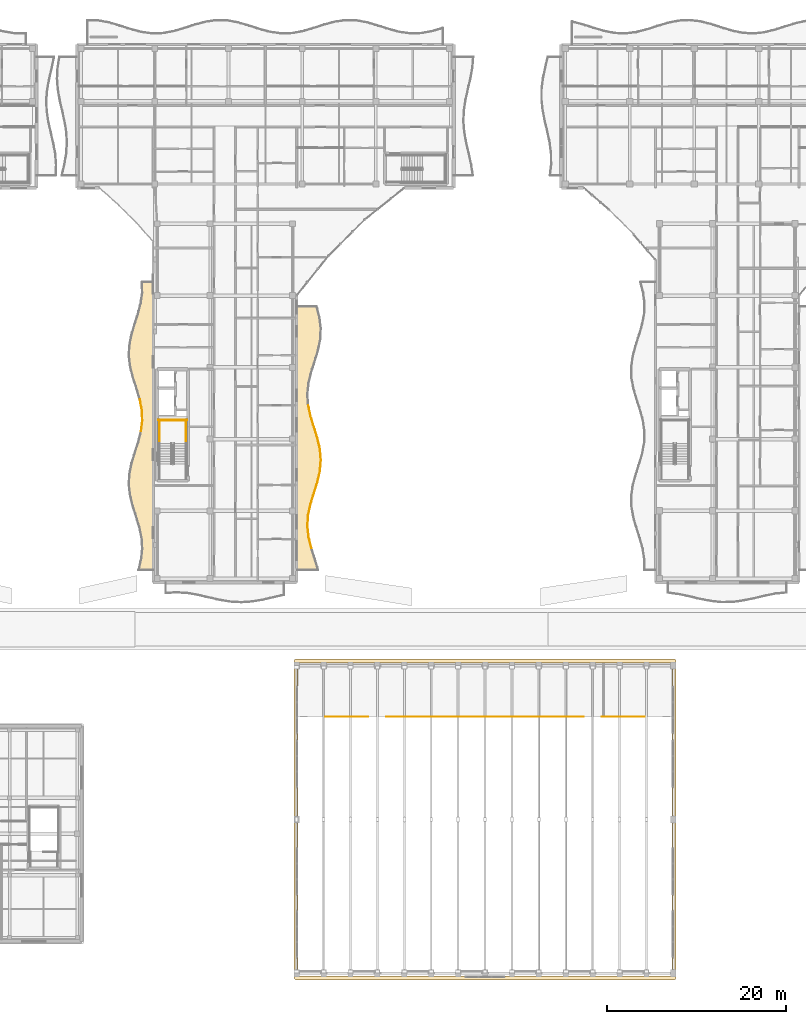
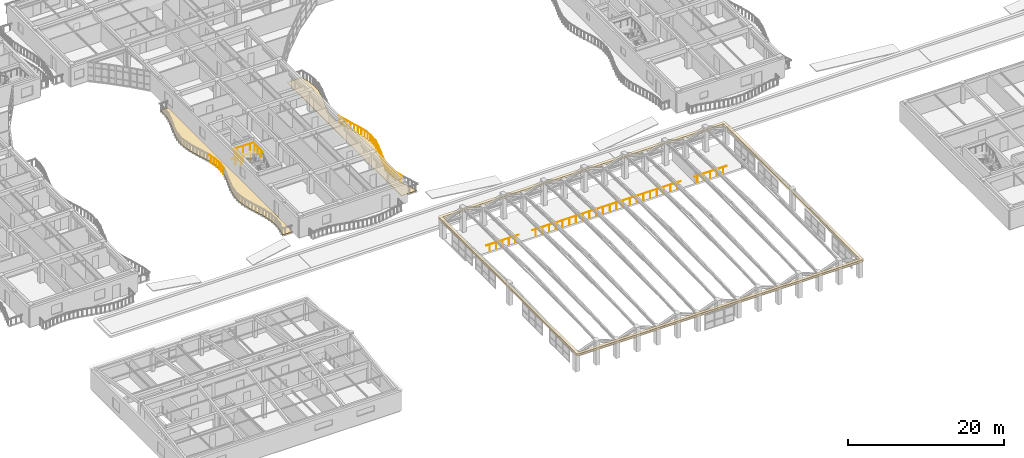
# One storey, part 106 of 128: 23 railings, 3 coverings.
"""IFC4 building model written with IfcOpenShell, lengths in metres."""

from ifc_helpers import new_model, si_unit, direction, frame, origin, origin_2d, place, context, subcontext, project, spatial, polyline, circle, outline, extrude, material, layer, layer_set, type_object, element, save


model = new_model("IFC4")

# Units and contexts
model_context = context("Model", 3, precision=1e-05, world=origin(), true_north=direction((0.0, 1.0)))
body_context = subcontext(model_context, "Body", "Model", "MODEL_VIEW")
ifc_project = project(units=[si_unit("LENGTHUNIT", "METRE"), si_unit("AREAUNIT", "SQUARE_METRE"), si_unit("VOLUMEUNIT", "CUBIC_METRE"), si_unit("PLANEANGLEUNIT", "RADIAN"), si_unit("MASSUNIT", "GRAM", prefix="KILO")], contexts=[model_context])

# Site, building, storey
site_placement = place(None, origin())
site = spatial("IfcSite", under=ifc_project, at=site_placement, CompositionType="ELEMENT")
building_placement = place(site_placement, origin())
building = spatial("IfcBuilding", under=site, at=building_placement, Name="Keldmere Railside Commons", CompositionType="ELEMENT")
storey_placement = place(building_placement, frame((0.0, 0.0, 4.159912109375)))
storey = spatial("IfcBuildingStorey", under=building, at=storey_placement, Name="L01", CompositionType="ELEMENT", Elevation=4.159912109375)

# Railings
ifc_material_1 = material(Name="Steel F-24 (S235)", Category="steel")
railing_type_1 = type_object("IfcRailingType", Name="Balcony & Terrace Steel Balustrade 1100", PredefinedType="BALUSTRADE", material=ifc_material_1)
railing_1_placement = place(storey_placement, frame((65.63916015625, 59.85009765625, 0.0)))
element("IfcRailing", 1, at=railing_1_placement, inside=storey, type_object=railing_type_1, Name="GR-1 GRD-L01-0828", PredefinedType="BALUSTRADE", context=body_context, shape_type="SweptSolid", body=[
    extrude(circle(Radius=0.02392578125, at=origin_2d()), frame((0.0, 0.0, 1.076171875), z_axis=(-0.241215480013, 0.970471582377, 0.0), x_axis=(-0.970471582377, -0.241215480013, 0.0)), (0.0, 0.0, 1.0), 1.26220703125),
    extrude(circle(Radius=0.02099609375, at=origin_2d()), frame((-0.076171875, 0.30615234375, 0.0)), (0.0, 0.0, 1.0), 1.048095703125),
    extrude(circle(Radius=0.02099609375, at=origin_2d()), frame((-0.228271484375, 0.918701171875, 0.0)), (0.0, 0.0, 1.0), 1.048095703125),
])
railing_2_placement = place(storey_placement, frame((65.334716796875, 61.074951171875, 0.0)))
element("IfcRailing", 2, at=railing_2_placement, inside=storey, type_object=railing_type_1, Name="GR-1 GRD-L01-0829", PredefinedType="BALUSTRADE", context=body_context, shape_type="SweptSolid", body=[
    extrude(circle(Radius=0.02392578125, at=origin_2d()), frame((0.0, 0.0, 1.076171875), z_axis=(-0.107582407459, 0.994196170585, 0.0), x_axis=(-0.994196170585, -0.107582407459, 0.0)), (0.0, 0.0, 1.0), 1.232177734375),
    extrude(circle(Radius=0.02099609375, at=origin_2d()), frame((-0.033203125, 0.30615234375, 0.0)), (0.0, 0.0, 1.0), 1.048095703125),
    extrude(circle(Radius=0.02099609375, at=origin_2d()), frame((-0.099365234375, 0.9189453125, 0.0)), (0.0, 0.0, 1.0), 1.048095703125),
])
railing_3_placement = place(storey_placement, frame((65.2021484375, 62.300048828125, 0.0)))
element("IfcRailing", 3, at=railing_3_placement, inside=storey, type_object=railing_type_1, Name="GR-1 GRD-L01-0830", PredefinedType="BALUSTRADE", context=body_context, shape_type="SweptSolid", body=[
    extrude(circle(Radius=0.02392578125, at=origin_2d()), frame((0.0, 0.0, 1.076171875), z_axis=(0.061870476803, 0.99808418688, 0.0), x_axis=(-0.99808418688, 0.061870476803, 0.0)), (0.0, 0.0, 1.0), 1.227294921875),
    extrude(circle(Radius=0.02099609375, at=origin_2d()), frame((0.01904296875, 0.30615234375, 0.0)), (0.0, 0.0, 1.0), 1.048095703125),
    extrude(circle(Radius=0.02099609375, at=origin_2d()), frame((0.056884765625, 0.918701171875, 0.0)), (0.0, 0.0, 1.0), 1.048095703125),
])
railing_4_placement = place(storey_placement, frame((65.278076171875, 63.52490234375, 0.0)))
element("IfcRailing", 4, at=railing_4_placement, inside=storey, type_object=railing_type_1, Name="GR-1 GRD-L01-0831", PredefinedType="BALUSTRADE", context=body_context, shape_type="SweptSolid", body=[
    extrude(circle(Radius=0.02392578125, at=origin_2d()), frame((0.0, 0.0, 1.076171875), z_axis=(0.21022091823, 0.977653908875, 0.0), x_axis=(-0.977653908875, 0.21022091823, 0.0)), (0.0, 0.0, 1.0), 1.253173828125),
    extrude(circle(Radius=0.02099609375, at=origin_2d()), frame((0.06591796875, 0.30615234375, 0.0)), (0.0, 0.0, 1.0), 1.048095703125),
    extrude(circle(Radius=0.02099609375, at=origin_2d()), frame((0.197509765625, 0.9189453125, 0.0)), (0.0, 0.0, 1.0), 1.048095703125),
])
railing_5_placement = place(storey_placement, frame((65.54150390625, 64.75, 0.0)))
element("IfcRailing", 5, at=railing_5_placement, inside=storey, type_object=railing_type_1, Name="GR-1 GRD-L01-0832", PredefinedType="BALUSTRADE", context=body_context, shape_type="SweptSolid", body=[
    extrude(circle(Radius=0.02392578125, at=origin_2d()), frame((0.0, 0.0, 1.076171875), z_axis=(0.294259831235, 0.955725458341, 0.0), x_axis=(-0.955725458341, 0.294259831235, 0.0)), (0.0, 0.0, 1.0), 1.28173828125),
    extrude(circle(Radius=0.02099609375, at=origin_2d()), frame((0.09423828125, 0.30615234375, 0.0)), (0.0, 0.0, 1.0), 1.048095703125),
    extrude(circle(Radius=0.02099609375, at=origin_2d()), frame((0.282958984375, 0.9189453125, 0.0)), (0.0, 0.0, 1.0), 1.048095703125),
])
railing_6_placement = place(storey_placement, frame((65.918701171875, 65.97509765625, 0.0)))
element("IfcRailing", 6, at=railing_6_placement, inside=storey, type_object=railing_type_1, Name="GR-1 GRD-L01-0833", PredefinedType="BALUSTRADE", context=body_context, shape_type="SweptSolid", body=[
    extrude(circle(Radius=0.02392578125, at=origin_2d()), frame((0.0, 0.0, 1.076171875), z_axis=(0.3007310396, 0.953708992209, 0.0), x_axis=(-0.953708992209, 0.3007310396, 0.0)), (0.0, 0.0, 1.0), 1.284423828125),
    extrude(circle(Radius=0.02099609375, at=origin_2d()), frame((0.0966796875, 0.30615234375, 0.0)), (0.0, 0.0, 1.0), 1.048095703125),
    extrude(circle(Radius=0.02099609375, at=origin_2d()), frame((0.28955078125, 0.918701171875, 0.0)), (0.0, 0.0, 1.0), 1.048095703125),
])
railing_7_placement = place(storey_placement, frame((66.304931640625, 67.199951171875, 0.0)))
element("IfcRailing", 7, at=railing_7_placement, inside=storey, type_object=railing_type_1, Name="GR-1 GRD-L01-0834", PredefinedType="BALUSTRADE", context=body_context, shape_type="SweptSolid", body=[
    extrude(circle(Radius=0.02392578125, at=origin_2d()), frame((0.0, 0.0, 1.076171875), z_axis=(0.228174080027, 0.973620351679, 0.0), x_axis=(-0.973620351679, 0.228174080027, 0.0)), (0.0, 0.0, 1.0), 1.25830078125),
    extrude(circle(Radius=0.02099609375, at=origin_2d()), frame((0.07177734375, 0.30615234375, 0.0)), (0.0, 0.0, 1.0), 1.048095703125),
    extrude(circle(Radius=0.02099609375, at=origin_2d()), frame((0.21533203125, 0.9189453125, 0.0)), (0.0, 0.0, 1.0), 1.048095703125),
])
railing_8_placement = place(storey_placement, frame((66.592041015625, 68.425048828125, 0.0)))
element("IfcRailing", 8, at=railing_8_placement, inside=storey, type_object=railing_type_1, Name="GR-1 GRD-L01-0835", PredefinedType="BALUSTRADE", context=body_context, shape_type="SweptSolid", body=[
    extrude(circle(Radius=0.02392578125, at=origin_2d()), frame((0.0, 0.0, 1.076171875), z_axis=(0.087760531713, 0.996141600915, 0.0), x_axis=(-0.996141600915, 0.087760531713, 0.0)), (0.0, 0.0, 1.0), 1.2294921875),
    extrude(circle(Radius=0.02099609375, at=origin_2d()), frame((0.02685546875, 0.30615234375, 0.0)), (0.0, 0.0, 1.0), 1.048095703125),
    extrude(circle(Radius=0.02099609375, at=origin_2d()), frame((0.0810546875, 0.918701171875, 0.0)), (0.0, 0.0, 1.0), 1.048095703125),
])
railing_9_placement = place(storey_placement, frame((66.699951171875, 69.64990234375, 0.0)))
element("IfcRailing", 9, at=railing_9_placement, inside=storey, type_object=railing_type_1, Name="GR-1 GRD-L01-0836", PredefinedType="BALUSTRADE", context=body_context, shape_type="SweptSolid", body=[
    extrude(circle(Radius=0.02392578125, at=origin_2d()), frame((0.0, 0.0, 1.076171875), z_axis=(-0.082223626265, 0.996613904822, 0.0), x_axis=(-0.996613904822, -0.082223626265, 0.0)), (0.0, 0.0, 1.0), 1.229248046875),
    extrude(circle(Radius=0.02099609375, at=origin_2d()), frame((-0.025390625, 0.30615234375, 0.0)), (0.0, 0.0, 1.0), 1.048095703125),
    extrude(circle(Radius=0.02099609375, at=origin_2d()), frame((-0.07568359375, 0.9189453125, 0.0)), (0.0, 0.0, 1.0), 1.048095703125),
])
railing_10_placement = place(storey_placement, frame((66.598876953125, 70.875, 0.0)))
element("IfcRailing", 10, at=railing_10_placement, inside=storey, type_object=railing_type_1, Name="GR-1 GRD-L01-0837", PredefinedType="BALUSTRADE", context=body_context, shape_type="SweptSolid", body=[
    extrude(circle(Radius=0.02392578125, at=origin_2d()), frame((0.0, 0.0, 1.076171875), z_axis=(-0.224490736131, 0.974476223102, 0.0), x_axis=(-0.974476223102, -0.224490736131, 0.0)), (0.0, 0.0, 1.0), 1.257080078125),
    extrude(circle(Radius=0.02099609375, at=origin_2d()), frame((-0.070556640625, 0.30615234375, 0.0)), (0.0, 0.0, 1.0), 1.048095703125),
    extrude(circle(Radius=0.02099609375, at=origin_2d()), frame((-0.211669921875, 0.9189453125, 0.0)), (0.0, 0.0, 1.0), 1.048095703125),
])
railing_11_placement = place(storey_placement, frame((66.316650390625, 72.10009765625, 0.0)))
element("IfcRailing", 11, at=railing_11_placement, inside=storey, type_object=railing_type_1, Name="GR-1 GRD-L01-0838", PredefinedType="BALUSTRADE", context=body_context, shape_type="SweptSolid", body=[
    extrude(circle(Radius=0.02392578125, at=origin_2d()), frame((0.0, 0.0, 1.076171875), z_axis=(-0.299519989885, 0.954090024924, 0.0), x_axis=(-0.954090024924, -0.299519989885, 0.0)), (0.0, 0.0, 1.0), 1.28369140625),
    extrude(circle(Radius=0.02099609375, at=origin_2d()), frame((-0.09619140625, 0.30615234375, 0.0)), (0.0, 0.0, 1.0), 1.048095703125),
    extrude(circle(Radius=0.02099609375, at=origin_2d()), frame((-0.288330078125, 0.918701171875, 0.0)), (0.0, 0.0, 1.0), 1.048095703125),
])
railing_12_placement = place(storey_placement, frame((65.93212890625, 73.324951171875, 0.0)))
element("IfcRailing", 12, at=railing_12_placement, inside=storey, type_object=railing_type_1, Name="GR-1 GRD-L01-0839", PredefinedType="BALUSTRADE", context=body_context, shape_type="SweptSolid", body=[
    extrude(circle(Radius=0.02392578125, at=origin_2d()), frame((0.0, 0.0, 1.076171875), z_axis=(-0.295824355285, 0.955242351878, 0.0), x_axis=(-0.955242351878, -0.295824355285, 0.0)), (0.0, 0.0, 1.0), 1.282470703125),
    extrude(circle(Radius=0.02099609375, at=origin_2d()), frame((-0.0947265625, 0.30615234375, 0.0)), (0.0, 0.0, 1.0), 1.048095703125),
    extrude(circle(Radius=0.02099609375, at=origin_2d()), frame((-0.28466796875, 0.9189453125, 0.0)), (0.0, 0.0, 1.0), 1.048095703125),
])
railing_13_placement = place(storey_placement, frame((65.552734375, 74.550048828125, 0.0)))
element("IfcRailing", 13, at=railing_13_placement, inside=storey, type_object=railing_type_1, Name="GR-1 GRD-L01-0840", PredefinedType="BALUSTRADE", context=body_context, shape_type="SweptSolid", body=[
    extrude(circle(Radius=0.02392578125, at=origin_2d()), frame((0.0, 0.0, 1.076171875), z_axis=(-0.214167176263, 0.976797021193, 0.0), x_axis=(-0.976797021193, -0.214167176263, 0.0)), (0.0, 0.0, 1.0), 1.25390625),
    extrude(circle(Radius=0.02099609375, at=origin_2d()), frame((-0.067138671875, 0.30615234375, 0.0)), (0.0, 0.0, 1.0), 1.048095703125),
    extrude(circle(Radius=0.02099609375, at=origin_2d()), frame((-0.201416015625, 0.918701171875, 0.0)), (0.0, 0.0, 1.0), 1.048095703125),
])
railing_14_placement = place(storey_placement, frame((46.646240234375, 72.855712890625, 0.0)))
element("IfcRailing", 14, at=railing_14_placement, inside=storey, type_object=railing_type_1, Name="GR-1 GRD-L01-0865", PredefinedType="BALUSTRADE", context=body_context, shape_type="SweptSolid", body=[
    extrude(circle(Radius=0.02392578125, at=origin_2d()), frame((0.0, 0.0, 1.076171875), z_axis=(0.122905783749, 0.992418343402, 0.0), x_axis=(-0.992418343402, 0.122905783749, 0.0)), (0.0, 0.0, 1.0), 1.19775390625),
    extrude(circle(Radius=0.02099609375, at=origin_2d()), frame((0.036865234375, 0.297119140625, 0.0)), (0.0, 0.0, 1.0), 1.048095703125),
    extrude(circle(Radius=0.02099609375, at=origin_2d()), frame((0.1103515625, 0.8916015625, 0.0)), (0.0, 0.0, 1.0), 1.048095703125),
])
railing_15_placement = place(storey_placement, frame((46.79345703125, 74.04443359375, 0.0)))
element("IfcRailing", 15, at=railing_15_placement, inside=storey, type_object=railing_type_1, Name="GR-1 GRD-L01-0866", PredefinedType="BALUSTRADE", context=body_context, shape_type="SweptSolid", body=[
    extrude(circle(Radius=0.02392578125, at=origin_2d()), frame((0.0, 0.0, 1.076171875), z_axis=(-0.040828350898, 0.99916617525, 0.0), x_axis=(-0.99916617525, -0.040828350898, 0.0)), (0.0, 0.0, 1.0), 1.18994140625),
    extrude(circle(Radius=0.02099609375, at=origin_2d()), frame((-0.01220703125, 0.29736328125, 0.0)), (0.0, 0.0, 1.0), 1.048095703125),
    extrude(circle(Radius=0.02099609375, at=origin_2d()), frame((-0.036376953125, 0.8916015625, 0.0)), (0.0, 0.0, 1.0), 1.048095703125),
])
railing_16_placement = place(storey_placement, frame((46.744873046875, 75.2333984375, 0.0)))
element("IfcRailing", 16, at=railing_16_placement, inside=storey, type_object=railing_type_1, Name="GR-1 GRD-L01-0867", PredefinedType="BALUSTRADE", context=body_context, shape_type="SweptSolid", body=[
    extrude(circle(Radius=0.02392578125, at=origin_2d()), frame((0.0, 0.0, 1.076171875), z_axis=(-0.190918223504, 0.981605945344, 0.0), x_axis=(-0.981605945344, -0.190918223504, 0.0)), (0.0, 0.0, 1.0), 1.2109375),
    extrude(circle(Radius=0.02099609375, at=origin_2d()), frame((-0.057861328125, 0.297119140625, 0.0)), (0.0, 0.0, 1.0), 1.048095703125),
    extrude(circle(Radius=0.02099609375, at=origin_2d()), frame((-0.17333984375, 0.8916015625, 0.0)), (0.0, 0.0, 1.0), 1.048095703125),
])

# Covering
ifc_material_2 = material(Name="White Precast Concrete C35/45", Category="concrete")
ifc_layer_1 = layer(ifc_material_2, 0.280029296875, Name="Postmodern Stepped Precast Cornice Band 280")
ifc_layer_set_1 = layer_set([ifc_layer_1], Name="White Precast Concrete C35/45")
covering_type_1 = type_object("IfcCoveringType", Name="Postmodern Stepped Precast Cornice Band 280", PredefinedType="CLADDING", material=ifc_layer_set_1)
covering_1_placement = place(storey_placement, frame((0.0, 0.0, 2.68017578125)))
element("IfcCovering", 17, at=covering_1_placement, inside=storey, type_object=covering_type_1, Name="CRN-1 Postmodern Entablature CRN-HALL", PredefinedType="CLADDING", context=body_context, shape_type="SweptSolid", body=[
    extrude(outline(polyline([(64.0, 11.699951171875), (63.970703125, 11.701416015625), (63.94140625, 11.705810546875), (63.912841796875, 11.712890625), (63.88525390625, 11.722900390625), (63.858642578125, 11.7353515625), (63.833251953125, 11.75048828125), (63.809814453125, 11.76806640625), (63.787841796875, 11.787841796875), (63.76806640625, 11.809814453125), (63.75048828125, 11.833251953125), (63.7353515625, 11.858642578125), (63.722900390625, 11.88525390625), (63.712890625, 11.912841796875), (63.705810546875, 11.94140625), (63.701416015625, 11.970703125), (63.699951171875, 12.0), (63.699951171875, 47.199951171875), (63.701416015625, 47.2294921875), (63.705810546875, 47.258544921875), (63.712890625, 47.287109375), (63.722900390625, 47.314697265625), (63.7353515625, 47.34130859375), (63.75048828125, 47.36669921875), (63.76806640625, 47.390380859375), (63.787841796875, 47.412109375), (63.809814453125, 47.431884765625), (63.833251953125, 47.449462890625), (63.858642578125, 47.464599609375), (63.88525390625, 47.477294921875), (63.912841796875, 47.487060546875), (63.94140625, 47.494140625), (63.970703125, 47.49853515625), (64.0, 47.5), (106.0, 47.5), (106.029296875, 47.49853515625), (106.05859375, 47.494140625), (106.087158203125, 47.487060546875), (106.11474609375, 47.477294921875), (106.141357421875, 47.464599609375), (106.166748046875, 47.449462890625), (106.190185546875, 47.431884765625), (106.212158203125, 47.412109375), (106.23193359375, 47.390380859375), (106.24951171875, 47.36669921875), (106.2646484375, 47.34130859375), (106.277099609375, 47.314697265625), (106.287109375, 47.287109375), (106.294189453125, 47.258544921875), (106.298583984375, 47.2294921875), (106.300048828125, 47.199951171875), (106.300048828125, 12.0), (106.298583984375, 11.970703125), (106.294189453125, 11.94140625), (106.287109375, 11.912841796875), (106.277099609375, 11.88525390625), (106.2646484375, 11.858642578125), (106.24951171875, 11.833251953125), (106.23193359375, 11.809814453125), (106.212158203125, 11.787841796875), (106.190185546875, 11.76806640625), (106.166748046875, 11.75048828125), (106.141357421875, 11.7353515625), (106.11474609375, 11.722900390625), (106.087158203125, 11.712890625), (106.05859375, 11.705810546875), (106.029296875, 11.701416015625), (106.0, 11.699951171875), (64.0, 11.699951171875)]), holes=[polyline([(105.85009765625, 12.14990234375), (64.14990234375, 12.14990234375), (64.14990234375, 47.050048828125), (105.85009765625, 47.050048828125), (105.85009765625, 12.14990234375)])]), origin(), (0.0, 0.0, 1.0), 0.31982421875),
])

# Railings
railing_type_2 = type_object("IfcRailingType", Name="Stair Well Steel Guardrail 1100", PredefinedType="BALUSTRADE", material=ifc_material_1)
for number, where, name in (
    (18, (51.64990234375, 71.52001953125, 1.60009765625), "L01 ST-C1 stair guard 3"),
    (19, (48.699951171875, 71.52001953125, 1.60009765625), "L01 ST-C1 stair guard 4"),
):
    element("IfcRailing", number, at=place(storey_placement, frame(where)), inside=storey, type_object=railing_type_2, Name=name, PredefinedType="BALUSTRADE", context=body_context, shape_type="SweptSolid", body=[
        extrude(circle(Radius=0.02392578125, at=origin_2d()), frame((0.0, 0.0, 1.076171875), z_axis=(0.0, 1.0, 0.0), x_axis=(-1.0, 0.0, 0.0)), (0.0, 0.0, 1.0), 2.580078125),
        extrude(circle(Radius=0.02099609375, at=origin_2d()), frame((0.0, 0.429931640625, 0.0)), (0.0, 0.0, 1.0), 1.048095703125),
        extrude(circle(Radius=0.02099609375, at=origin_2d()), frame((0.0, 1.2900390625, 0.0)), (0.0, 0.0, 1.0), 1.048095703125),
        extrude(circle(Radius=0.02099609375, at=origin_2d()), frame((0.0, 2.150146484375, 0.0)), (0.0, 0.0, 1.0), 1.048095703125),
    ])
railing_17_placement = place(storey_placement, frame((51.699951171875, 74.050048828125, 1.60009765625)))
element("IfcRailing", 20, at=railing_17_placement, inside=storey, type_object=railing_type_2, Name="L01 ST-C1 stair guard 5", PredefinedType="BALUSTRADE", context=body_context, shape_type="SweptSolid", body=[
    extrude(circle(Radius=0.02392578125, at=origin_2d()), frame((0.0, 0.0, 1.076171875), z_axis=(-1.0, 0.0, 0.0), x_axis=(0.0, -1.0, 0.0)), (0.0, 0.0, 1.0), 3.050048828125),
    extrude(circle(Radius=0.02099609375, at=origin_2d()), frame((-0.50830078125, 0.0, 0.0)), (0.0, 0.0, 1.0), 1.048095703125),
    extrude(circle(Radius=0.02099609375, at=origin_2d()), frame((-1.52490234375, 0.0, 0.0)), (0.0, 0.0, 1.0), 1.048095703125),
    extrude(circle(Radius=0.02099609375, at=origin_2d()), frame((-2.541748046875, 0.0, 0.0)), (0.0, 0.0, 1.0), 1.048095703125),
])
railing_18_placement = place(storey_placement, frame((51.800048828125, 74.14990234375, 0.0)))
element("IfcRailing", 21, at=railing_18_placement, inside=storey, type_object=railing_type_2, Name="L01 ST-C1 stair guard 12", PredefinedType="BALUSTRADE", context=body_context, shape_type="SweptSolid", body=[
    extrude(circle(Radius=0.02392578125, at=origin_2d()), frame((0.0, 0.0, 1.076171875), z_axis=(-1.0, 0.0, 0.0), x_axis=(0.0, -1.0, 0.0)), (0.0, 0.0, 1.0), 3.25),
    extrude(circle(Radius=0.02099609375, at=origin_2d()), frame((-0.541748046875, 0.0, 0.0)), (0.0, 0.0, 1.0), 1.048095703125),
    extrude(circle(Radius=0.02099609375, at=origin_2d()), frame((-1.625, 0.0, 0.0)), (0.0, 0.0, 1.0), 1.048095703125),
    extrude(circle(Radius=0.02099609375, at=origin_2d()), frame((-2.708251953125, 0.0, 0.0)), (0.0, 0.0, 1.0), 1.048095703125),
])
railing_19_placement = place(storey_placement, frame((67.199951171875, 41.050048828125, 0.0)))
element("IfcRailing", 22, at=railing_19_placement, inside=storey, type_object=railing_type_2, Name="GR-2 GRD-L01-4758", PredefinedType="BALUSTRADE", context=body_context, shape_type="SweptSolid", body=[
    extrude(circle(Radius=0.02392578125, at=origin_2d()), frame((0.0, 0.0, 1.076171875), z_axis=(1.0, 0.0, 0.0), x_axis=(0.0, 1.0, 0.0)), (0.0, 0.0, 1.0), 4.800048828125),
    extrude(circle(Radius=0.02099609375, at=origin_2d()), frame((0.47998046875, 0.0, 0.0)), (0.0, 0.0, 1.0), 1.048095703125),
    extrude(circle(Radius=0.02099609375, at=origin_2d()), frame((1.43994140625, 0.0, 0.0)), (0.0, 0.0, 1.0), 1.048095703125),
    extrude(circle(Radius=0.02099609375, at=origin_2d()), frame((2.39990234375, 0.0, 0.0)), (0.0, 0.0, 1.0), 1.048095703125),
    extrude(circle(Radius=0.02099609375, at=origin_2d()), frame((3.360107421875, 0.0, 0.0)), (0.0, 0.0, 1.0), 1.048095703125),
    extrude(circle(Radius=0.02099609375, at=origin_2d()), frame((4.320068359375, 0.0, 0.0)), (0.0, 0.0, 1.0), 1.048095703125),
])
railing_20_placement = place(storey_placement, frame((74.0, 41.050048828125, 0.0)))
element("IfcRailing", 23, at=railing_20_placement, inside=storey, type_object=railing_type_2, Name="GR-2 GRD-L01-4759", PredefinedType="BALUSTRADE", context=body_context, shape_type="SweptSolid", body=[
    extrude(circle(Radius=0.02392578125, at=origin_2d()), frame((0.0, 0.0, 1.076171875), z_axis=(1.0, 0.0, 0.0), x_axis=(0.0, 1.0, 0.0)), (0.0, 0.0, 1.0), 22.0),
    extrude(circle(Radius=0.02099609375, at=origin_2d()), frame((0.5, 0.0, 0.0)), (0.0, 0.0, 1.0), 1.048095703125),
    extrude(circle(Radius=0.02099609375, at=origin_2d()), frame((1.5, 0.0, 0.0)), (0.0, 0.0, 1.0), 1.048095703125),
    extrude(circle(Radius=0.02099609375, at=origin_2d()), frame((2.5, 0.0, 0.0)), (0.0, 0.0, 1.0), 1.048095703125),
    extrude(circle(Radius=0.02099609375, at=origin_2d()), frame((3.5, 0.0, 0.0)), (0.0, 0.0, 1.0), 1.048095703125),
    extrude(circle(Radius=0.02099609375, at=origin_2d()), frame((4.5, 0.0, 0.0)), (0.0, 0.0, 1.0), 1.048095703125),
    extrude(circle(Radius=0.02099609375, at=origin_2d()), frame((5.5, 0.0, 0.0)), (0.0, 0.0, 1.0), 1.048095703125),
    extrude(circle(Radius=0.02099609375, at=origin_2d()), frame((6.5, 0.0, 0.0)), (0.0, 0.0, 1.0), 1.048095703125),
    extrude(circle(Radius=0.02099609375, at=origin_2d()), frame((7.5, 0.0, 0.0)), (0.0, 0.0, 1.0), 1.048095703125),
    extrude(circle(Radius=0.02099609375, at=origin_2d()), frame((8.5, 0.0, 0.0)), (0.0, 0.0, 1.0), 1.048095703125),
    extrude(circle(Radius=0.02099609375, at=origin_2d()), frame((9.5, 0.0, 0.0)), (0.0, 0.0, 1.0), 1.048095703125),
    extrude(circle(Radius=0.02099609375, at=origin_2d()), frame((10.5, 0.0, 0.0)), (0.0, 0.0, 1.0), 1.048095703125),
    extrude(circle(Radius=0.02099609375, at=origin_2d()), frame((11.5, 0.0, 0.0)), (0.0, 0.0, 1.0), 1.048095703125),
    extrude(circle(Radius=0.02099609375, at=origin_2d()), frame((12.5, 0.0, 0.0)), (0.0, 0.0, 1.0), 1.048095703125),
    extrude(circle(Radius=0.02099609375, at=origin_2d()), frame((13.5, 0.0, 0.0)), (0.0, 0.0, 1.0), 1.048095703125),
    extrude(circle(Radius=0.02099609375, at=origin_2d()), frame((14.5, 0.0, 0.0)), (0.0, 0.0, 1.0), 1.048095703125),
    extrude(circle(Radius=0.02099609375, at=origin_2d()), frame((15.5, 0.0, 0.0)), (0.0, 0.0, 1.0), 1.048095703125),
    extrude(circle(Radius=0.02099609375, at=origin_2d()), frame((16.5, 0.0, 0.0)), (0.0, 0.0, 1.0), 1.048095703125),
    extrude(circle(Radius=0.02099609375, at=origin_2d()), frame((17.5, 0.0, 0.0)), (0.0, 0.0, 1.0), 1.048095703125),
    extrude(circle(Radius=0.02099609375, at=origin_2d()), frame((18.5, 0.0, 0.0)), (0.0, 0.0, 1.0), 1.048095703125),
    extrude(circle(Radius=0.02099609375, at=origin_2d()), frame((19.5, 0.0, 0.0)), (0.0, 0.0, 1.0), 1.048095703125),
    extrude(circle(Radius=0.02099609375, at=origin_2d()), frame((20.5, 0.0, 0.0)), (0.0, 0.0, 1.0), 1.048095703125),
    extrude(circle(Radius=0.02099609375, at=origin_2d()), frame((21.5, 0.0, 0.0)), (0.0, 0.0, 1.0), 1.048095703125),
])
railing_21_placement = place(storey_placement, frame((98.0, 41.050048828125, 0.0)))
element("IfcRailing", 24, at=railing_21_placement, inside=storey, type_object=railing_type_2, Name="GR-2 GRD-L01-4760", PredefinedType="BALUSTRADE", context=body_context, shape_type="SweptSolid", body=[
    extrude(circle(Radius=0.02392578125, at=origin_2d()), frame((0.0, 0.0, 1.076171875), z_axis=(1.0, 0.0, 0.0), x_axis=(0.0, 1.0, 0.0)), (0.0, 0.0, 1.0), 4.800048828125),
    extrude(circle(Radius=0.02099609375, at=origin_2d()), frame((0.47998046875, 0.0, 0.0)), (0.0, 0.0, 1.0), 1.048095703125),
    extrude(circle(Radius=0.02099609375, at=origin_2d()), frame((1.43994140625, 0.0, 0.0)), (0.0, 0.0, 1.0), 1.048095703125),
    extrude(circle(Radius=0.02099609375, at=origin_2d()), frame((2.39990234375, 0.0, 0.0)), (0.0, 0.0, 1.0), 1.048095703125),
    extrude(circle(Radius=0.02099609375, at=origin_2d()), frame((3.360107421875, 0.0, 0.0)), (0.0, 0.0, 1.0), 1.048095703125),
    extrude(circle(Radius=0.02099609375, at=origin_2d()), frame((4.320068359375, 0.0, 0.0)), (0.0, 0.0, 1.0), 1.048095703125),
])

# Coverings
ifc_layer_2 = layer(ifc_material_2, 0.044921875, Name="White Architectural Balcony Ribbon Cladding 45")
ifc_layer_set_2 = layer_set([ifc_layer_2], Name="White Precast Concrete C35/45")
covering_type_2 = type_object("IfcCoveringType", Name="White Architectural Balcony Ribbon Cladding 45", PredefinedType="FLOORING", material=ifc_layer_set_2)
covering_2_placement = place(storey_placement, origin())
element("IfcCovering", 25, at=covering_2_placement, inside=storey, type_object=covering_type_2, Name="CLG-WB C L01 CE White Balcony Ribbon", PredefinedType="FLOORING", context=body_context, shape_type="SweptSolid", body=[
    extrude(outline(polyline([(65.991943359375, 58.61328125), (65.60107421875, 59.837890625), (65.600341796875, 59.84033203125), (65.2958984375, 61.0654296875), (65.294921875, 61.07080078125), (65.162353515625, 62.295654296875), (65.162109375, 62.299072265625), (65.162109375, 62.302490234375), (65.238037109375, 63.527587890625), (65.23828125, 63.530517578125), (65.239013671875, 63.533447265625), (65.502197265625, 64.75830078125), (65.503173828125, 64.76171875), (65.880615234375, 65.98681640625), (65.880615234375, 65.987060546875), (66.266357421875, 67.210693359375), (66.552490234375, 68.431396484375), (66.659912109375, 69.650146484375), (66.55908203125, 70.868896484375), (66.278076171875, 72.089599609375), (65.893798828125, 73.31298828125), (65.893798828125, 73.313232421875), (65.514404296875, 74.5380859375), (65.513671875, 74.54150390625), (65.2451171875, 75.766357421875), (65.244384765625, 75.769287109375), (65.244140625, 75.772216796875), (65.161376953125, 76.997314453125), (65.1611328125, 77.000732421875), (65.161376953125, 77.004150390625), (65.287353515625, 78.22900390625), (65.288330078125, 78.234619140625), (65.588134765625, 79.45947265625), (65.5888671875, 79.462158203125), (65.978759765625, 80.68701171875), (66.349365234375, 81.909912109375), (66.597412109375, 83.1298828125), (66.654296875, 84.348388671875), (66.504638671875, 85.5673828125), (66.197021484375, 86.760009765625), (64.0400390625, 86.760009765625), (64.0400390625, 57.43994140625), (66.34521484375, 57.43994140625), (65.991943359375, 58.61328125)])), origin(), (0.0, 0.0, 1.0), 0.045166015625),
])
covering_3_placement = place(storey_placement, origin())
element("IfcCovering", 26, at=covering_3_placement, inside=storey, type_object=covering_type_2, Name="CLG-WB C L01 CW White Balcony Ribbon", PredefinedType="FLOORING", context=body_context, shape_type="SweptSolid", body=[
    extrude(outline(polyline([(47.9599609375, 89.4599609375), (46.801025390625, 89.4599609375), (46.826416015625, 88.31201171875), (46.826171875, 88.30859375), (46.825927734375, 88.305419921875), (46.658447265625, 87.11669921875), (46.657470703125, 87.11181640625), (46.340087890625, 85.923095703125), (46.339599609375, 85.9208984375), (45.956298828125, 84.732666015625), (45.6083984375, 83.54638671875), (45.38720703125, 82.3623046875), (45.349853515625, 81.1796875), (45.506591796875, 79.99658203125), (45.81640625, 78.811279296875), (46.198486328125, 77.623291015625), (46.198486328125, 77.62255859375), (46.552001953125, 76.43359375), (46.552978515625, 76.4296875), (46.7841796875, 75.240966796875), (46.78466796875, 75.23779296875), (46.784912109375, 75.23486328125), (46.83349609375, 74.0458984375), (46.83349609375, 74.042724609375), (46.8330078125, 74.03955078125), (46.685791015625, 72.8505859375), (46.68505859375, 72.845703125), (46.381103515625, 71.65673828125), (46.38037109375, 71.654541015625), (45.99951171875, 70.4658203125), (45.642578125, 69.279296875), (45.4033203125, 68.094970703125), (45.34423828125, 66.912353515625), (45.480224609375, 65.7294921875), (45.7763671875, 64.544189453125), (46.155029296875, 63.356689453125), (46.1552734375, 63.35595703125), (46.516845703125, 62.167236328125), (46.517578125, 62.163818359375), (46.7666015625, 60.974853515625), (46.76708984375, 60.968994140625), (46.837890625, 59.7802734375), (46.837890625, 59.77685546875), (46.837646484375, 59.773681640625), (46.71142578125, 58.584716796875), (46.710693359375, 58.579345703125), (46.432861328125, 57.43994140625), (47.9599609375, 57.43994140625), (47.9599609375, 89.4599609375)])), origin(), (0.0, 0.0, 1.0), 0.045166015625),
])

save(model, "model.ifc")
